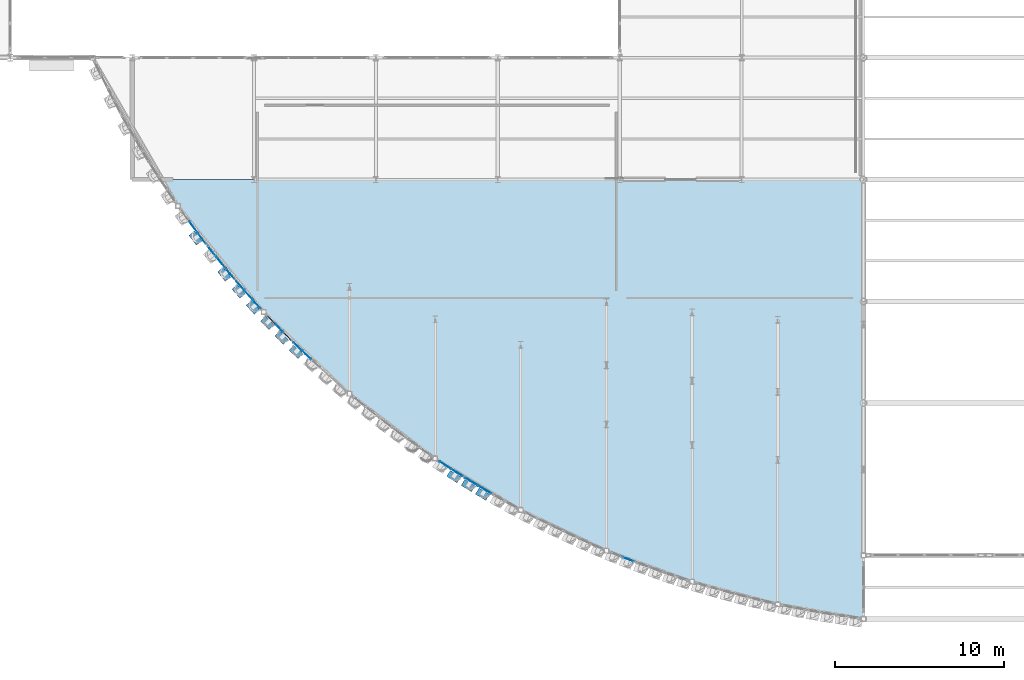
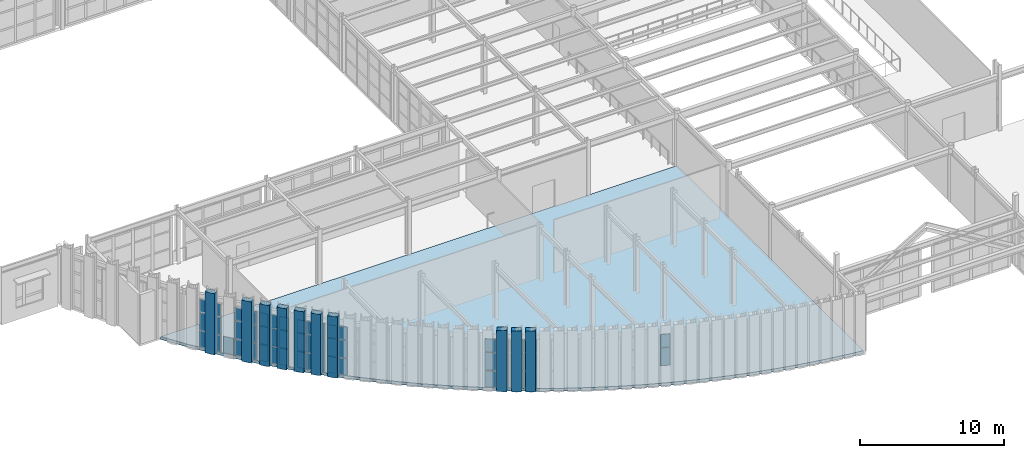
# One storey, part 82 of 126: 61 plates, 1 slab, 8 elements without a shape of their own.
"""IFC4 building model written with IfcOpenShell, lengths in metres."""

from ifc_helpers import new_model, si_unit, direction, frame, origin, origin_2d, place, context, subcontext, project, spatial, polyline, rectangle, outline, extrude, material, layer, layer_set, type_object, element, aggregate, save


model = new_model("IFC4")

# Units and contexts
model_context = context("Model", 3, precision=1e-05, world=origin(), true_north=direction((0.0, 1.0)))
body_context = subcontext(model_context, "Body", "Model", "MODEL_VIEW")
ifc_project = project(units=[si_unit("LENGTHUNIT", "METRE"), si_unit("AREAUNIT", "SQUARE_METRE"), si_unit("VOLUMEUNIT", "CUBIC_METRE"), si_unit("PLANEANGLEUNIT", "RADIAN"), si_unit("MASSUNIT", "GRAM", prefix="KILO")], contexts=[model_context])

# Site, building, storey
site_placement = place(None, origin())
site = spatial("IfcSite", under=ifc_project, at=site_placement, CompositionType="ELEMENT")
building_placement = place(site_placement, origin())
building = spatial("IfcBuilding", under=site, at=building_placement, Name="Solvadek Multi-Sports Hall", CompositionType="ELEMENT")
storey_placement = place(building_placement, frame((0.0, 0.0, 9.60009765625)))
storey = spatial("IfcBuildingStorey", under=building, at=storey_placement, Name="L02", CompositionType="ELEMENT", Elevation=9.60009765625)

# Curtain wall, plates
ifc_material_1 = material(Name="Anodised aluminium", Category="aluminium")
ifc_layer_1 = layer(ifc_material_1, 0.159912109375, Name="Anodised aluminium")
ifc_layer_set_1 = layer_set([ifc_layer_1], Name="Anodised aluminium")
curtain_wall_type_1 = type_object("IfcCurtainWallType", Name="ENV-CW-257X420", PredefinedType="USERDEFINED", material=ifc_layer_set_1)
curtain_wall_1_placement = place(storey_placement, origin())
curtain_wall_1 = element("IfcCurtainWall", 1, at=curtain_wall_1_placement, inside=storey, type_object=curtain_wall_type_1, Name="L02 Crescent Curved Curtain Wall #8", ObjectType="CURTAIN WALL", PredefinedType="USERDEFINED")
ifc_material_2 = material(Name="Tempered laminated low-E glass", Category="glass")
ifc_layer_2 = layer(ifc_material_2, 0.02392578125, Name="Tempered laminated low-E glass")
ifc_layer_set_2 = layer_set([ifc_layer_2], Name="Tempered laminated low-E glass")
plate_type_1 = type_object("IfcPlateType", Name="ENV-CWP-01", PredefinedType="CURTAIN_PANEL", material=ifc_layer_set_2)
plate_1_placement = place(storey_placement, frame((32.4208984375, 10.403076171875, 0.06494140625), z_axis=(0.0, 0.0, 1.0), x_axis=(0.593152651883, -0.805090014572, 0.0)))
plate_1 = element("IfcPlate", 2, at=plate_1_placement, type_object=plate_type_1, Name="CW-04 panel 2.1", PredefinedType="CURTAIN_PANEL", context=body_context, shape_type="SweptSolid", body=[
    extrude(rectangle(XDim=0.7978515625, YDim=0.02392578125, at=origin_2d()), origin(), (0.0, 0.0, 1.0), 1.37255859375),
])
plate_2_placement = place(storey_placement, frame((32.4208984375, 10.403076171875, 1.50244140625), z_axis=(0.0, 0.0, 1.0), x_axis=(0.593152651883, -0.805090014572, 0.0)))
plate_2 = element("IfcPlate", 3, at=plate_2_placement, type_object=plate_type_1, Name="CW-04 panel 2.2", PredefinedType="CURTAIN_PANEL", context=body_context, shape_type="SweptSolid", body=[
    extrude(rectangle(XDim=0.7978515625, YDim=0.02392578125, at=origin_2d()), origin(), (0.0, 0.0, 1.0), 1.489013671875),
])
plate_3_placement = place(storey_placement, frame((32.4208984375, 10.403076171875, 3.056396484375), z_axis=(0.0, 0.0, 1.0), x_axis=(0.593152651883, -0.805090014572, 0.0)))
plate_3 = element("IfcPlate", 4, at=plate_3_placement, type_object=plate_type_1, Name="CW-04 panel 2.3", PredefinedType="CURTAIN_PANEL", context=body_context, shape_type="SweptSolid", body=[
    extrude(rectangle(XDim=0.7978515625, YDim=0.02392578125, at=origin_2d()), origin(), (0.0, 0.0, 1.0), 1.07861328125),
])
plate_4_placement = place(storey_placement, frame((32.9208984375, 9.724365234375, 0.06494140625), z_axis=(0.0, 0.0, 1.0), x_axis=(0.593152651883, -0.805090014572, 0.0)))
plate_4 = element("IfcPlate", 5, at=plate_4_placement, type_object=plate_type_1, Name="CW-04 panel 3.1", PredefinedType="CURTAIN_PANEL", context=body_context, shape_type="SweptSolid", body=[
    extrude(rectangle(XDim=0.76806640625, YDim=0.02392578125, at=origin_2d()), origin(), (0.0, 0.0, 1.0), 1.37255859375),
])
plate_5_placement = place(storey_placement, frame((32.9208984375, 9.724365234375, 1.50244140625), z_axis=(0.0, 0.0, 1.0), x_axis=(0.593152651883, -0.805090014572, 0.0)))
plate_5 = element("IfcPlate", 6, at=plate_5_placement, type_object=plate_type_1, Name="CW-04 panel 3.2", PredefinedType="CURTAIN_PANEL", context=body_context, shape_type="SweptSolid", body=[
    extrude(rectangle(XDim=0.76806640625, YDim=0.02392578125, at=origin_2d()), origin(), (0.0, 0.0, 1.0), 1.489013671875),
])
plate_6_placement = place(storey_placement, frame((32.9208984375, 9.724365234375, 3.056396484375), z_axis=(0.0, 0.0, 1.0), x_axis=(0.593152651883, -0.805090014572, 0.0)))
plate_6 = element("IfcPlate", 7, at=plate_6_placement, type_object=plate_type_1, Name="CW-04 panel 3.3", PredefinedType="CURTAIN_PANEL", context=body_context, shape_type="SweptSolid", body=[
    extrude(rectangle(XDim=0.76806640625, YDim=0.02392578125, at=origin_2d()), origin(), (0.0, 0.0, 1.0), 1.07861328125),
])
aggregate(curtain_wall_1, [plate_1, plate_2, plate_3, plate_4, plate_5, plate_6])

ifc_layer_3 = layer(ifc_material_1, 0.159912109375, Name="Anodised aluminium")
ifc_layer_set_3 = layer_set([ifc_layer_3], Name="Anodised aluminium")
curtain_wall_type_2 = type_object("IfcCurtainWallType", Name="ENV-CW-261X420", PredefinedType="USERDEFINED", material=ifc_layer_set_3)
curtain_wall_2_placement = place(storey_placement, origin())
curtain_wall_2 = element("IfcCurtainWall", 8, at=curtain_wall_2_placement, inside=storey, type_object=curtain_wall_type_2, Name="L02 Crescent Curved Curtain Wall #10", ObjectType="CURTAIN WALL", PredefinedType="USERDEFINED")
ifc_layer_4 = layer(ifc_material_2, 0.028076171875, Name="Tempered laminated low-E glass")
ifc_layer_set_4 = layer_set([ifc_layer_4], Name="Tempered laminated low-E glass")
plate_type_2 = type_object("IfcPlateType", Name="ENV-CWP-02", PredefinedType="CURTAIN_PANEL", material=ifc_layer_set_4)
plate_7_placement = place(storey_placement, frame((33.506103515625, 8.96875, 0.06494140625), z_axis=(0.0, 0.0, 1.0), x_axis=(0.630693411926, -0.77603209995, 0.0)))
plate_7 = element("IfcPlate", 9, at=plate_7_placement, type_object=plate_type_2, Name="CW-05 panel 1.1", PredefinedType="CURTAIN_PANEL", context=body_context, shape_type="SweptSolid", body=[
    extrude(rectangle(XDim=0.77392578125, YDim=0.028076171875, at=origin_2d()), origin(), (0.0, 0.0, 1.0), 1.37255859375),
])
plate_8_placement = place(storey_placement, frame((34.04541015625, 8.304931640625, 0.06494140625), z_axis=(0.0, 0.0, 1.0), x_axis=(0.630693411926, -0.77603209995, 0.0)))
plate_8 = element("IfcPlate", 10, at=plate_8_placement, type_object=plate_type_2, Name="CW-05 panel 2.1", PredefinedType="CURTAIN_PANEL", context=body_context, shape_type="SweptSolid", body=[
    extrude(rectangle(XDim=0.806640625, YDim=0.028076171875, at=origin_2d()), origin(), (0.0, 0.0, 1.0), 1.37255859375),
])
plate_9_placement = place(storey_placement, frame((34.04541015625, 8.304931640625, 1.50244140625), z_axis=(0.0, 0.0, 1.0), x_axis=(0.630693411926, -0.77603209995, 0.0)))
plate_9 = element("IfcPlate", 11, at=plate_9_placement, type_object=plate_type_2, Name="CW-05 panel 2.2", PredefinedType="CURTAIN_PANEL", context=body_context, shape_type="SweptSolid", body=[
    extrude(rectangle(XDim=0.806640625, YDim=0.028076171875, at=origin_2d()), origin(), (0.0, 0.0, 1.0), 1.489013671875),
])
plate_10_placement = place(storey_placement, frame((34.04541015625, 8.304931640625, 3.056396484375), z_axis=(0.0, 0.0, 1.0), x_axis=(0.630693411926, -0.77603209995, 0.0)))
plate_10 = element("IfcPlate", 12, at=plate_10_placement, type_object=plate_type_2, Name="CW-05 panel 2.3", PredefinedType="CURTAIN_PANEL", context=body_context, shape_type="SweptSolid", body=[
    extrude(rectangle(XDim=0.806640625, YDim=0.028076171875, at=origin_2d()), origin(), (0.0, 0.0, 1.0), 1.07861328125),
])
plate_11_placement = place(storey_placement, frame((34.5849609375, 7.641357421875, 0.06494140625), z_axis=(0.0, 0.0, 1.0), x_axis=(0.630693411926, -0.77603209995, 0.0)))
plate_11 = element("IfcPlate", 13, at=plate_11_placement, type_object=plate_type_2, Name="CW-05 panel 3.1", PredefinedType="CURTAIN_PANEL", context=body_context, shape_type="SweptSolid", body=[
    extrude(rectangle(XDim=0.77392578125, YDim=0.028076171875, at=origin_2d()), origin(), (0.0, 0.0, 1.0), 1.37255859375),
])
plate_12_placement = place(storey_placement, frame((34.5849609375, 7.641357421875, 1.50244140625), z_axis=(0.0, 0.0, 1.0), x_axis=(0.630693411926, -0.77603209995, 0.0)))
plate_12 = element("IfcPlate", 14, at=plate_12_placement, type_object=plate_type_2, Name="CW-05 panel 3.2", PredefinedType="CURTAIN_PANEL", context=body_context, shape_type="SweptSolid", body=[
    extrude(rectangle(XDim=0.77392578125, YDim=0.028076171875, at=origin_2d()), origin(), (0.0, 0.0, 1.0), 1.489013671875),
])
plate_13_placement = place(storey_placement, frame((34.5849609375, 7.641357421875, 3.056396484375), z_axis=(0.0, 0.0, 1.0), x_axis=(0.630693411926, -0.77603209995, 0.0)))
plate_13 = element("IfcPlate", 15, at=plate_13_placement, type_object=plate_type_2, Name="CW-05 panel 3.3", PredefinedType="CURTAIN_PANEL", context=body_context, shape_type="SweptSolid", body=[
    extrude(rectangle(XDim=0.77392578125, YDim=0.028076171875, at=origin_2d()), origin(), (0.0, 0.0, 1.0), 1.07861328125),
])
aggregate(curtain_wall_2, [plate_7, plate_8, plate_9, plate_10, plate_11, plate_12, plate_13])

ifc_layer_5 = layer(ifc_material_1, 0.159912109375, Name="Anodised aluminium")
ifc_layer_set_5 = layer_set([ifc_layer_5], Name="Anodised aluminium")
curtain_wall_type_3 = type_object("IfcCurtainWallType", Name="ENV-CW-227X420", PredefinedType="USERDEFINED", material=ifc_layer_set_5)
curtain_wall_3_placement = place(storey_placement, origin())
curtain_wall_3 = element("IfcCurtainWall", 16, at=curtain_wall_3_placement, inside=storey, type_object=curtain_wall_type_3, Name="L02 Crescent Curved Curtain Wall #12", ObjectType="CURTAIN WALL", PredefinedType="USERDEFINED")
ifc_layer_6 = layer(ifc_material_2, 0.031982421875, Name="Tempered laminated low-E glass")
ifc_layer_set_6 = layer_set([ifc_layer_6], Name="Tempered laminated low-E glass")
plate_type_3 = type_object("IfcPlateType", Name="ENV-CWP-03", PredefinedType="CURTAIN_PANEL", material=ifc_layer_set_6)
plate_14_placement = place(storey_placement, frame((35.1708984375, 6.950439453125, 0.06005859375), z_axis=(0.0, 0.0, 1.0), x_axis=(0.664787991761, -0.747032078301, 0.0)))
plate_14 = element("IfcPlate", 17, at=plate_14_placement, type_object=plate_type_3, Name="CW-06 panel 1.1", PredefinedType="CURTAIN_PANEL", context=body_context, shape_type="SweptSolid", body=[
    extrude(rectangle(XDim=0.658447265625, YDim=0.031982421875, at=origin_2d()), origin(), (0.0, 0.0, 1.0), 1.3798828125),
])
plate_15_placement = place(storey_placement, frame((35.1708984375, 6.950439453125, 1.5), z_axis=(0.0, 0.0, 1.0), x_axis=(0.664787991761, -0.747032078301, 0.0)))
plate_15 = element("IfcPlate", 18, at=plate_15_placement, type_object=plate_type_3, Name="CW-06 panel 1.2", PredefinedType="CURTAIN_PANEL", context=body_context, shape_type="SweptSolid", body=[
    extrude(rectangle(XDim=0.658447265625, YDim=0.031982421875, at=origin_2d()), origin(), (0.0, 0.0, 1.0), 1.493896484375),
])
plate_16_placement = place(storey_placement, frame((35.1708984375, 6.950439453125, 3.053955078125), z_axis=(0.0, 0.0, 1.0), x_axis=(0.664787991761, -0.747032078301, 0.0)))
plate_16 = element("IfcPlate", 19, at=plate_16_placement, type_object=plate_type_3, Name="CW-06 panel 1.3", PredefinedType="CURTAIN_PANEL", context=body_context, shape_type="SweptSolid", body=[
    extrude(rectangle(XDim=0.658447265625, YDim=0.031982421875, at=origin_2d()), origin(), (0.0, 0.0, 1.0), 1.0859375),
])
plate_17_placement = place(storey_placement, frame((35.66259765625, 6.397705078125, 0.06005859375), z_axis=(0.0, 0.0, 1.0), x_axis=(0.664787991761, -0.747032078301, 0.0)))
plate_17 = element("IfcPlate", 20, at=plate_17_placement, type_object=plate_type_3, Name="CW-06 panel 2.1", PredefinedType="CURTAIN_PANEL", context=body_context, shape_type="SweptSolid", body=[
    extrude(rectangle(XDim=0.69091796875, YDim=0.031982421875, at=origin_2d()), origin(), (0.0, 0.0, 1.0), 1.3798828125),
])
plate_18_placement = place(storey_placement, frame((35.66259765625, 6.397705078125, 1.5), z_axis=(0.0, 0.0, 1.0), x_axis=(0.664787991761, -0.747032078301, 0.0)))
plate_18 = element("IfcPlate", 21, at=plate_18_placement, type_object=plate_type_3, Name="CW-06 panel 2.2", PredefinedType="CURTAIN_PANEL", context=body_context, shape_type="SweptSolid", body=[
    extrude(rectangle(XDim=0.69091796875, YDim=0.031982421875, at=origin_2d()), origin(), (0.0, 0.0, 1.0), 1.493896484375),
])
plate_19_placement = place(storey_placement, frame((35.66259765625, 6.397705078125, 3.053955078125), z_axis=(0.0, 0.0, 1.0), x_axis=(0.664787991761, -0.747032078301, 0.0)))
plate_19 = element("IfcPlate", 22, at=plate_19_placement, type_object=plate_type_3, Name="CW-06 panel 2.3", PredefinedType="CURTAIN_PANEL", context=body_context, shape_type="SweptSolid", body=[
    extrude(rectangle(XDim=0.69091796875, YDim=0.031982421875, at=origin_2d()), origin(), (0.0, 0.0, 1.0), 1.0859375),
])
plate_20_placement = place(storey_placement, frame((36.154296875, 5.84521484375, 0.06005859375), z_axis=(0.0, 0.0, 1.0), x_axis=(0.664787991761, -0.747032078301, 0.0)))
plate_20 = element("IfcPlate", 23, at=plate_20_placement, type_object=plate_type_3, Name="CW-06 panel 3.1", PredefinedType="CURTAIN_PANEL", context=body_context, shape_type="SweptSolid", body=[
    extrude(rectangle(XDim=0.658447265625, YDim=0.031982421875, at=origin_2d()), origin(), (0.0, 0.0, 1.0), 1.3798828125),
])
plate_21_placement = place(storey_placement, frame((36.154296875, 5.84521484375, 1.5), z_axis=(0.0, 0.0, 1.0), x_axis=(0.664787991761, -0.747032078301, 0.0)))
plate_21 = element("IfcPlate", 24, at=plate_21_placement, type_object=plate_type_3, Name="CW-06 panel 3.2", PredefinedType="CURTAIN_PANEL", context=body_context, shape_type="SweptSolid", body=[
    extrude(rectangle(XDim=0.658447265625, YDim=0.031982421875, at=origin_2d()), origin(), (0.0, 0.0, 1.0), 1.493896484375),
])
plate_22_placement = place(storey_placement, frame((36.154296875, 5.84521484375, 3.053955078125), z_axis=(0.0, 0.0, 1.0), x_axis=(0.664787991761, -0.747032078301, 0.0)))
plate_22 = element("IfcPlate", 25, at=plate_22_placement, type_object=plate_type_3, Name="CW-06 panel 3.3", PredefinedType="CURTAIN_PANEL", context=body_context, shape_type="SweptSolid", body=[
    extrude(rectangle(XDim=0.658447265625, YDim=0.031982421875, at=origin_2d()), origin(), (0.0, 0.0, 1.0), 1.0859375),
])
aggregate(curtain_wall_3, [plate_14, plate_15, plate_16, plate_17, plate_18, plate_19, plate_20, plate_21, plate_22])

ifc_layer_7 = layer(ifc_material_1, 0.159912109375, Name="Anodised aluminium")
ifc_layer_set_7 = layer_set([ifc_layer_7], Name="Anodised aluminium")
curtain_wall_type_4 = type_object("IfcCurtainWallType", Name="ENV-CW-215X420", PredefinedType="USERDEFINED", material=ifc_layer_set_7)
curtain_wall_4_placement = place(storey_placement, origin())
curtain_wall_4 = element("IfcCurtainWall", 26, at=curtain_wall_4_placement, inside=storey, type_object=curtain_wall_type_4, Name="L02 Crescent Curved Curtain Wall #14", ObjectType="CURTAIN WALL", PredefinedType="USERDEFINED")
ifc_layer_8 = layer(ifc_material_2, 0.035888671875, Name="Tempered laminated low-E glass")
ifc_layer_set_8 = layer_set([ifc_layer_8], Name="Tempered laminated low-E glass")
plate_type_4 = type_object("IfcPlateType", Name="ENV-CWP-04", PredefinedType="CURTAIN_PANEL", material=ifc_layer_set_8)
plate_23_placement = place(storey_placement, frame((37.0048828125, 4.928955078125, 0.06005859375), z_axis=(0.0, 0.0, 1.0), x_axis=(0.695993542356, -0.718048040871, 0.0)))
plate_23 = element("IfcPlate", 27, at=plate_23_placement, type_object=plate_type_4, Name="CW-07 panel 1.1", PredefinedType="CURTAIN_PANEL", context=body_context, shape_type="SweptSolid", body=[
    extrude(rectangle(XDim=0.613037109375, YDim=0.035888671875, at=origin_2d()), origin(), (0.0, 0.0, 1.0), 1.3798828125),
])
plate_24_placement = place(storey_placement, frame((37.0048828125, 4.928955078125, 1.5), z_axis=(0.0, 0.0, 1.0), x_axis=(0.695993542356, -0.718048040871, 0.0)))
plate_24 = element("IfcPlate", 28, at=plate_24_placement, type_object=plate_type_4, Name="CW-07 panel 1.2", PredefinedType="CURTAIN_PANEL", context=body_context, shape_type="SweptSolid", body=[
    extrude(rectangle(XDim=0.613037109375, YDim=0.035888671875, at=origin_2d()), origin(), (0.0, 0.0, 1.0), 1.493896484375),
])
plate_25_placement = place(storey_placement, frame((37.0048828125, 4.928955078125, 3.053955078125), z_axis=(0.0, 0.0, 1.0), x_axis=(0.695993542356, -0.718048040871, 0.0)))
plate_25 = element("IfcPlate", 29, at=plate_25_placement, type_object=plate_type_4, Name="CW-07 panel 1.3", PredefinedType="CURTAIN_PANEL", context=body_context, shape_type="SweptSolid", body=[
    extrude(rectangle(XDim=0.613037109375, YDim=0.035888671875, at=origin_2d()), origin(), (0.0, 0.0, 1.0), 1.0859375),
])
plate_26_placement = place(storey_placement, frame((37.4921875, 4.426025390625, 0.06005859375), z_axis=(0.0, 0.0, 1.0), x_axis=(0.695993542356, -0.718048040871, 0.0)))
plate_26 = element("IfcPlate", 30, at=plate_26_placement, type_object=plate_type_4, Name="CW-07 panel 2.1", PredefinedType="CURTAIN_PANEL", context=body_context, shape_type="SweptSolid", body=[
    extrude(rectangle(XDim=0.64794921875, YDim=0.035888671875, at=origin_2d()), origin(), (0.0, 0.0, 1.0), 1.3798828125),
])
plate_27_placement = place(storey_placement, frame((37.4921875, 4.426025390625, 1.5), z_axis=(0.0, 0.0, 1.0), x_axis=(0.695993542356, -0.718048040871, 0.0)))
plate_27 = element("IfcPlate", 31, at=plate_27_placement, type_object=plate_type_4, Name="CW-07 panel 2.2", PredefinedType="CURTAIN_PANEL", context=body_context, shape_type="SweptSolid", body=[
    extrude(rectangle(XDim=0.64794921875, YDim=0.035888671875, at=origin_2d()), origin(), (0.0, 0.0, 1.0), 1.493896484375),
])
plate_28_placement = place(storey_placement, frame((37.4921875, 4.426025390625, 3.053955078125), z_axis=(0.0, 0.0, 1.0), x_axis=(0.695993542356, -0.718048040871, 0.0)))
plate_28 = element("IfcPlate", 32, at=plate_28_placement, type_object=plate_type_4, Name="CW-07 panel 2.3", PredefinedType="CURTAIN_PANEL", context=body_context, shape_type="SweptSolid", body=[
    extrude(rectangle(XDim=0.64794921875, YDim=0.035888671875, at=origin_2d()), origin(), (0.0, 0.0, 1.0), 1.0859375),
])
plate_29_placement = place(storey_placement, frame((37.979736328125, 3.923095703125, 0.06005859375), z_axis=(0.0, 0.0, 1.0), x_axis=(0.695993542356, -0.718048040871, 0.0)))
plate_29 = element("IfcPlate", 33, at=plate_29_placement, type_object=plate_type_4, Name="CW-07 panel 3.1", PredefinedType="CURTAIN_PANEL", context=body_context, shape_type="SweptSolid", body=[
    extrude(rectangle(XDim=0.613037109375, YDim=0.035888671875, at=origin_2d()), origin(), (0.0, 0.0, 1.0), 1.3798828125),
])
plate_30_placement = place(storey_placement, frame((37.979736328125, 3.923095703125, 1.5), z_axis=(0.0, 0.0, 1.0), x_axis=(0.695993542356, -0.718048040871, 0.0)))
plate_30 = element("IfcPlate", 34, at=plate_30_placement, type_object=plate_type_4, Name="CW-07 panel 3.2", PredefinedType="CURTAIN_PANEL", context=body_context, shape_type="SweptSolid", body=[
    extrude(rectangle(XDim=0.613037109375, YDim=0.035888671875, at=origin_2d()), origin(), (0.0, 0.0, 1.0), 1.493896484375),
])
plate_31_placement = place(storey_placement, frame((37.979736328125, 3.923095703125, 3.053955078125), z_axis=(0.0, 0.0, 1.0), x_axis=(0.695993542356, -0.718048040871, 0.0)))
plate_31 = element("IfcPlate", 35, at=plate_31_placement, type_object=plate_type_4, Name="CW-07 panel 3.3", PredefinedType="CURTAIN_PANEL", context=body_context, shape_type="SweptSolid", body=[
    extrude(rectangle(XDim=0.613037109375, YDim=0.035888671875, at=origin_2d()), origin(), (0.0, 0.0, 1.0), 1.0859375),
])
aggregate(curtain_wall_4, [plate_23, plate_24, plate_25, plate_26, plate_27, plate_28, plate_29, plate_30, plate_31])

ifc_layer_9 = layer(ifc_material_1, 0.159912109375, Name="Anodised aluminium")
ifc_layer_set_9 = layer_set([ifc_layer_9], Name="Anodised aluminium")
curtain_wall_type_5 = type_object("IfcCurtainWallType", Name="ENV-CW-174X420", PredefinedType="USERDEFINED", material=ifc_layer_set_9)
curtain_wall_5_placement = place(storey_placement, origin())
curtain_wall_5 = element("IfcCurtainWall", 36, at=curtain_wall_5_placement, inside=storey, type_object=curtain_wall_type_5, Name="L02 Crescent Curved Curtain Wall #26", ObjectType="CURTAIN WALL", PredefinedType="USERDEFINED")
plate_32_placement = place(storey_placement, frame((47.276123046875, -3.65380859375, 0.06494140625), z_axis=(0.0, 0.0, 1.0), x_axis=(0.839045645786, -0.544061029929, 0.0)))
plate_32 = element("IfcPlate", 37, at=plate_32_placement, type_object=plate_type_4, Name="CW-12 panel 1.1", PredefinedType="CURTAIN_PANEL", context=body_context, shape_type="SweptSolid", body=[
    extrude(rectangle(XDim=0.7802734375, YDim=0.035888671875, at=origin_2d()), origin(), (0.0, 0.0, 1.0), 1.37255859375),
])
plate_33_placement = place(storey_placement, frame((47.276123046875, -3.65380859375, 1.50244140625), z_axis=(0.0, 0.0, 1.0), x_axis=(0.839045645786, -0.544061029929, 0.0)))
plate_33 = element("IfcPlate", 38, at=plate_33_placement, type_object=plate_type_4, Name="CW-12 panel 1.2", PredefinedType="CURTAIN_PANEL", context=body_context, shape_type="SweptSolid", body=[
    extrude(rectangle(XDim=0.7802734375, YDim=0.035888671875, at=origin_2d()), origin(), (0.0, 0.0, 1.0), 1.489013671875),
])
plate_34_placement = place(storey_placement, frame((47.276123046875, -3.65380859375, 3.056396484375), z_axis=(0.0, 0.0, 1.0), x_axis=(0.839045645786, -0.544061029929, 0.0)))
plate_34 = element("IfcPlate", 39, at=plate_34_placement, type_object=plate_type_4, Name="CW-12 panel 1.3", PredefinedType="CURTAIN_PANEL", context=body_context, shape_type="SweptSolid", body=[
    extrude(rectangle(XDim=0.7802734375, YDim=0.035888671875, at=origin_2d()), origin(), (0.0, 0.0, 1.0), 1.07861328125),
])
plate_35_placement = place(storey_placement, frame((47.98095703125, -4.11083984375, 0.06494140625), z_axis=(0.0, 0.0, 1.0), x_axis=(0.839045645786, -0.544061029929, 0.0)))
plate_35 = element("IfcPlate", 40, at=plate_35_placement, type_object=plate_type_4, Name="CW-12 panel 2.1", PredefinedType="CURTAIN_PANEL", context=body_context, shape_type="SweptSolid", body=[
    extrude(rectangle(XDim=0.7802734375, YDim=0.035888671875, at=origin_2d()), origin(), (0.0, 0.0, 1.0), 1.37255859375),
])
plate_36_placement = place(storey_placement, frame((47.98095703125, -4.11083984375, 1.50244140625), z_axis=(0.0, 0.0, 1.0), x_axis=(0.839045645786, -0.544061029929, 0.0)))
plate_36 = element("IfcPlate", 41, at=plate_36_placement, type_object=plate_type_4, Name="CW-12 panel 2.2", PredefinedType="CURTAIN_PANEL", context=body_context, shape_type="SweptSolid", body=[
    extrude(rectangle(XDim=0.7802734375, YDim=0.035888671875, at=origin_2d()), origin(), (0.0, 0.0, 1.0), 1.489013671875),
])
plate_37_placement = place(storey_placement, frame((47.98095703125, -4.11083984375, 3.056396484375), z_axis=(0.0, 0.0, 1.0), x_axis=(0.839045645786, -0.544061029929, 0.0)))
plate_37 = element("IfcPlate", 42, at=plate_37_placement, type_object=plate_type_4, Name="CW-12 panel 2.3", PredefinedType="CURTAIN_PANEL", context=body_context, shape_type="SweptSolid", body=[
    extrude(rectangle(XDim=0.7802734375, YDim=0.035888671875, at=origin_2d()), origin(), (0.0, 0.0, 1.0), 1.07861328125),
])
aggregate(curtain_wall_5, [plate_32, plate_33, plate_34, plate_35, plate_36, plate_37])

ifc_layer_10 = layer(ifc_material_1, 0.159912109375, Name="Anodised aluminium")
ifc_layer_set_10 = layer_set([ifc_layer_10], Name="Anodised aluminium")
curtain_wall_type_6 = type_object("IfcCurtainWallType", Name="ENV-CW-155X420", PredefinedType="USERDEFINED", material=ifc_layer_set_10)
curtain_wall_6_placement = place(storey_placement, origin())
curtain_wall_6 = element("IfcCurtainWall", 43, at=curtain_wall_6_placement, inside=storey, type_object=curtain_wall_type_6, Name="L02 Crescent Curved Curtain Wall #38", ObjectType="CURTAIN WALL", PredefinedType="USERDEFINED")
plate_38_placement = place(storey_placement, frame((58.104248046875, -9.236572265625, 1.5), z_axis=(0.0, 0.0, 1.0), x_axis=(0.928966641619, -0.370163448708, 0.0)))
plate_38 = element("IfcPlate", 44, at=plate_38_placement, type_object=plate_type_4, Name="CW-18 panel 2.2", PredefinedType="CURTAIN_PANEL", context=body_context, shape_type="SweptSolid", body=[
    extrude(rectangle(XDim=0.682861328125, YDim=0.035888671875, at=origin_2d()), origin(), (0.0, 0.0, 1.0), 1.493896484375),
])
plate_39_placement = place(storey_placement, frame((58.104248046875, -9.236572265625, 3.053955078125), z_axis=(0.0, 0.0, 1.0), x_axis=(0.928966641619, -0.370163448708, 0.0)))
plate_39 = element("IfcPlate", 45, at=plate_39_placement, type_object=plate_type_4, Name="CW-18 panel 2.3", PredefinedType="CURTAIN_PANEL", context=body_context, shape_type="SweptSolid", body=[
    extrude(rectangle(XDim=0.682861328125, YDim=0.035888671875, at=origin_2d()), origin(), (0.0, 0.0, 1.0), 1.0859375),
])
aggregate(curtain_wall_6, [plate_38, plate_39])

curtain_wall_7_placement = place(storey_placement, origin())
curtain_wall_7 = element("IfcCurtainWall", 46, at=curtain_wall_7_placement, inside=storey, type_object=curtain_wall_type_3, Name="L02 Crescent Curved Curtain Wall #16", ObjectType="CURTAIN WALL", PredefinedType="USERDEFINED")
ifc_layer_11 = layer(ifc_material_2, 0.0419921875, Name="Tempered laminated low-E glass")
ifc_layer_set_11 = layer_set([ifc_layer_11], Name="Tempered laminated low-E glass")
plate_type_5 = type_object("IfcPlateType", Name="ENV-CWP-05", PredefinedType="CURTAIN_PANEL", material=ifc_layer_set_11)
plate_40_placement = place(storey_placement, frame((38.569091796875, 3.33984375, 0.06494140625), z_axis=(0.0, 0.0, 1.0), x_axis=(0.724763758281, -0.688997456224, 0.0)))
plate_40 = element("IfcPlate", 47, at=plate_40_placement, type_object=plate_type_5, Name="CW-06 panel 1.1", PredefinedType="CURTAIN_PANEL", context=body_context, shape_type="SweptSolid", body=[
    extrude(rectangle(XDim=0.665771484375, YDim=0.0419921875, at=origin_2d()), origin(), (0.0, 0.0, 1.0), 1.37255859375),
])
plate_41_placement = place(storey_placement, frame((38.569091796875, 3.33984375, 1.50244140625), z_axis=(0.0, 0.0, 1.0), x_axis=(0.724763758281, -0.688997456224, 0.0)))
plate_41 = element("IfcPlate", 48, at=plate_41_placement, type_object=plate_type_5, Name="CW-06 panel 1.2", PredefinedType="CURTAIN_PANEL", context=body_context, shape_type="SweptSolid", body=[
    extrude(rectangle(XDim=0.665771484375, YDim=0.0419921875, at=origin_2d()), origin(), (0.0, 0.0, 1.0), 1.489013671875),
])
plate_42_placement = place(storey_placement, frame((38.569091796875, 3.33984375, 3.056396484375), z_axis=(0.0, 0.0, 1.0), x_axis=(0.724763758281, -0.688997456224, 0.0)))
plate_42 = element("IfcPlate", 49, at=plate_42_placement, type_object=plate_type_5, Name="CW-06 panel 1.3", PredefinedType="CURTAIN_PANEL", context=body_context, shape_type="SweptSolid", body=[
    extrude(rectangle(XDim=0.665771484375, YDim=0.0419921875, at=origin_2d()), origin(), (0.0, 0.0, 1.0), 1.07861328125),
])
plate_43_placement = place(storey_placement, frame((39.106201171875, 2.829345703125, 0.06494140625), z_axis=(0.0, 0.0, 1.0), x_axis=(0.724763758281, -0.688997456224, 0.0)))
plate_43 = element("IfcPlate", 50, at=plate_43_placement, type_object=plate_type_5, Name="CW-06 panel 2.1", PredefinedType="CURTAIN_PANEL", context=body_context, shape_type="SweptSolid", body=[
    extrude(rectangle(XDim=0.69580078125, YDim=0.0419921875, at=origin_2d()), origin(), (0.0, 0.0, 1.0), 1.37255859375),
])
plate_44_placement = place(storey_placement, frame((39.106201171875, 2.829345703125, 1.50244140625), z_axis=(0.0, 0.0, 1.0), x_axis=(0.724763758281, -0.688997456224, 0.0)))
plate_44 = element("IfcPlate", 51, at=plate_44_placement, type_object=plate_type_5, Name="CW-06 panel 2.2", PredefinedType="CURTAIN_PANEL", context=body_context, shape_type="SweptSolid", body=[
    extrude(rectangle(XDim=0.69580078125, YDim=0.0419921875, at=origin_2d()), origin(), (0.0, 0.0, 1.0), 1.489013671875),
])
plate_45_placement = place(storey_placement, frame((39.106201171875, 2.829345703125, 3.056396484375), z_axis=(0.0, 0.0, 1.0), x_axis=(0.724763758281, -0.688997456224, 0.0)))
plate_45 = element("IfcPlate", 52, at=plate_45_placement, type_object=plate_type_5, Name="CW-06 panel 2.3", PredefinedType="CURTAIN_PANEL", context=body_context, shape_type="SweptSolid", body=[
    extrude(rectangle(XDim=0.69580078125, YDim=0.0419921875, at=origin_2d()), origin(), (0.0, 0.0, 1.0), 1.07861328125),
])
aggregate(curtain_wall_7, [plate_40, plate_41, plate_42, plate_43, plate_44, plate_45])

ifc_layer_12 = layer(ifc_material_1, 0.159912109375, Name="Anodised aluminium")
ifc_layer_set_12 = layer_set([ifc_layer_12], Name="Anodised aluminium")
curtain_wall_type_7 = type_object("IfcCurtainWallType", Name="ENV-CW-191X420", PredefinedType="USERDEFINED", material=ifc_layer_set_12)
curtain_wall_8_placement = place(storey_placement, origin())
curtain_wall_8 = element("IfcCurtainWall", 53, at=curtain_wall_8_placement, inside=storey, type_object=curtain_wall_type_7, Name="L02 Crescent Curved Curtain Wall #28", ObjectType="CURTAIN WALL", PredefinedType="USERDEFINED")
plate_46_placement = place(storey_placement, frame((48.831298828125, -4.64111328125, 0.06005859375), z_axis=(0.0, 0.0, 1.0), x_axis=(0.857155142512, -0.515058308995, 0.0)))
plate_46 = element("IfcPlate", 54, at=plate_46_placement, type_object=plate_type_5, Name="CW-13 panel 1.1", PredefinedType="CURTAIN_PANEL", context=body_context, shape_type="SweptSolid", body=[
    extrude(rectangle(XDim=0.864013671875, YDim=0.0419921875, at=origin_2d()), origin(), (0.0, 0.0, 1.0), 1.3798828125),
])
plate_47_placement = place(storey_placement, frame((48.831298828125, -4.64111328125, 1.5), z_axis=(0.0, 0.0, 1.0), x_axis=(0.857155142512, -0.515058308995, 0.0)))
plate_47 = element("IfcPlate", 55, at=plate_47_placement, type_object=plate_type_5, Name="CW-13 panel 1.2", PredefinedType="CURTAIN_PANEL", context=body_context, shape_type="SweptSolid", body=[
    extrude(rectangle(XDim=0.864013671875, YDim=0.0419921875, at=origin_2d()), origin(), (0.0, 0.0, 1.0), 1.493896484375),
])
plate_48_placement = place(storey_placement, frame((48.831298828125, -4.64111328125, 3.053955078125), z_axis=(0.0, 0.0, 1.0), x_axis=(0.857155142512, -0.515058308995, 0.0)))
plate_48 = element("IfcPlate", 56, at=plate_48_placement, type_object=plate_type_5, Name="CW-13 panel 1.3", PredefinedType="CURTAIN_PANEL", context=body_context, shape_type="SweptSolid", body=[
    extrude(rectangle(XDim=0.864013671875, YDim=0.0419921875, at=origin_2d()), origin(), (0.0, 0.0, 1.0), 1.0859375),
])
plate_49_placement = place(storey_placement, frame((49.623291015625, -5.116943359375, 0.06005859375), z_axis=(0.0, 0.0, 1.0), x_axis=(0.857155142512, -0.515058308995, 0.0)))
plate_49 = element("IfcPlate", 57, at=plate_49_placement, type_object=plate_type_5, Name="CW-13 panel 2.1", PredefinedType="CURTAIN_PANEL", context=body_context, shape_type="SweptSolid", body=[
    extrude(rectangle(XDim=0.864013671875, YDim=0.0419921875, at=origin_2d()), origin(), (0.0, 0.0, 1.0), 1.3798828125),
])
plate_50_placement = place(storey_placement, frame((49.623291015625, -5.116943359375, 1.5), z_axis=(0.0, 0.0, 1.0), x_axis=(0.857155142512, -0.515058308995, 0.0)))
plate_50 = element("IfcPlate", 58, at=plate_50_placement, type_object=plate_type_5, Name="CW-13 panel 2.2", PredefinedType="CURTAIN_PANEL", context=body_context, shape_type="SweptSolid", body=[
    extrude(rectangle(XDim=0.864013671875, YDim=0.0419921875, at=origin_2d()), origin(), (0.0, 0.0, 1.0), 1.493896484375),
])
plate_51_placement = place(storey_placement, frame((49.623291015625, -5.116943359375, 3.053955078125), z_axis=(0.0, 0.0, 1.0), x_axis=(0.857155142512, -0.515058308995, 0.0)))
plate_51 = element("IfcPlate", 59, at=plate_51_placement, type_object=plate_type_5, Name="CW-13 panel 2.3", PredefinedType="CURTAIN_PANEL", context=body_context, shape_type="SweptSolid", body=[
    extrude(rectangle(XDim=0.864013671875, YDim=0.0419921875, at=origin_2d()), origin(), (0.0, 0.0, 1.0), 1.0859375),
])
aggregate(curtain_wall_8, [plate_46, plate_47, plate_48, plate_49, plate_50, plate_51])

# Plates
ifc_material_3 = material(Name="Perforated champagne-bronze anodised aluminium", Category="aluminium")
ifc_layer_13 = layer(ifc_material_3, 0.419921875, Name="Perforated champagne-bronze anodised aluminium")
ifc_layer_set_13 = layer_set([ifc_layer_13], Name="Perforated champagne-bronze anodised aluminium")
plate_type_6 = type_object("IfcPlateType", Name="ENV-FLT-520", PredefinedType="USERDEFINED", material=ifc_layer_set_13)
for number, where, z_axis, x_axis, name in (
    (60, (32.538818359375, 9.7373046875, 0.0400390625), (0.0, 0.0, 1.0), (0.593159455627, -0.805085001848, 0.0), "L02 Half-Cylinder Colonnade Flute #16"),
    (61, (34.234375, 7.596923828125, 0.0400390625), (0.0, 0.0, 1.0), (0.630677076434, -0.776045375774, 0.0), "L02 Half-Cylinder Colonnade Flute #20"),
    (62, (35.08642578125, 6.59375, 0.0400390625), (0.0, 0.0, 1.0), (0.664767330468, -0.747050464388, 0.0), "L02 Half-Cylinder Colonnade Flute #23"),
    (63, (35.929931640625, 5.64599609375, 0.0400390625), (0.0, 0.0, 1.0), (0.664767330468, -0.747050464388, 0.0), "L02 Half-Cylinder Colonnade Flute #24"),
    (64, (36.7822265625, 4.7275390625, 0.0400390625), (0.0, 0.0, 1.0), (0.696004704957, -0.718037220956, 0.0), "L02 Half-Cylinder Colonnade Flute #27"),
    (65, (37.62548828125, 3.857421875, 0.0400390625), (0.0, 0.0, 1.0), (0.696004704957, -0.718037220956, 0.0), "L02 Half-Cylinder Colonnade Flute #28"),
    (66, (38.477783203125, 3.012939453125, 0.0400390625), (0.0, 0.0, 1.0), (0.724733346655, -0.689029445123, 0.0), "L02 Half-Cylinder Colonnade Flute #31"),
    (67, (47.799072265625, -4.350341796875, 0.0400390625), (0.0, 0.0, 1.0), (0.839053337602, -0.544049167502, 0.0), "L02 Half-Cylinder Colonnade Flute #52"),
    (68, (48.651123046875, -4.882568359375, 0.0400390625), (0.0, 0.0, 1.0), (0.857129541862, -0.515100910956, 0.0), "L02 Half-Cylinder Colonnade Flute #55"),
    (69, (49.494384765625, -5.389404296875, 0.0400390625), (0.0, 0.0, 1.0), (0.857129541862, -0.515100910956, 0.0), "L02 Half-Cylinder Colonnade Flute #56"),
):
    element("IfcPlate", number, at=place(storey_placement, frame(where, z_axis=z_axis, x_axis=x_axis)), inside=storey, type_object=plate_type_6, Name=name, ObjectType="FLANGED_SHEET", PredefinedType="USERDEFINED", context=body_context, shape_type="SweptSolid", body=[
        extrude(rectangle(XDim=0.719970703125, YDim=0.419921875, at=origin_2d()), origin(), (0.0, 0.0, 1.0), 5.199951171875),
    ])

# Slab
ifc_material_4 = material(Name="Concrete M35", Category="concrete")
ifc_layer_14 = layer(ifc_material_4, 0.199951171875, Name="Concrete M35")
ifc_layer_set_14 = layer_set([ifc_layer_14], Name="Concrete M35")
slab_type = type_object("IfcSlabType", Name="STR-SLB-FLR200", PredefinedType="FLOOR", material=ifc_layer_set_14)
slab_placement = place(storey_placement, frame((0.0, 0.0, -0.239990234375)))
element("IfcSlab", 70, at=slab_placement, inside=storey, type_object=slab_type, Name="L02 West Crescent Curved Slab #25", PredefinedType="FLOOR", context=body_context, shape_type="SweptSolid", body=[
    extrude(outline(polyline([(30.478515625, 13.199951171875), (72.0, 13.199951171875), (72.0, -12.7529296875), (70.31298828125, -12.517578125), (68.626220703125, -12.2314453125), (66.939453125, -11.893798828125), (65.25244140625, -11.50390625), (63.565673828125, -11.060791015625), (61.87890625, -10.562744140625), (60.19189453125, -10.008544921875), (58.505126953125, -9.396240234375), (56.818115234375, -8.72412109375), (55.13134765625, -7.989990234375), (53.444580078125, -7.19091796875), (51.757568359375, -6.323974609375), (50.07080078125, -5.3857421875), (48.3837890625, -4.3720703125), (46.697021484375, -3.2783203125), (45.010009765625, -2.0986328125), (43.3232421875, -0.826904296875), (41.636474609375, 0.54541015625), (39.949462890625, 2.027587890625), (38.2626953125, 3.631103515625), (36.57568359375, 5.37158203125), (34.888916015625, 7.26708984375), (33.2021484375, 9.3427734375), (31.51513671875, 11.63232421875), (30.478515625, 13.199951171875)])), origin(), (0.0, 0.0, 1.0), 0.239990234375),
])

save(model, "model.ifc")
